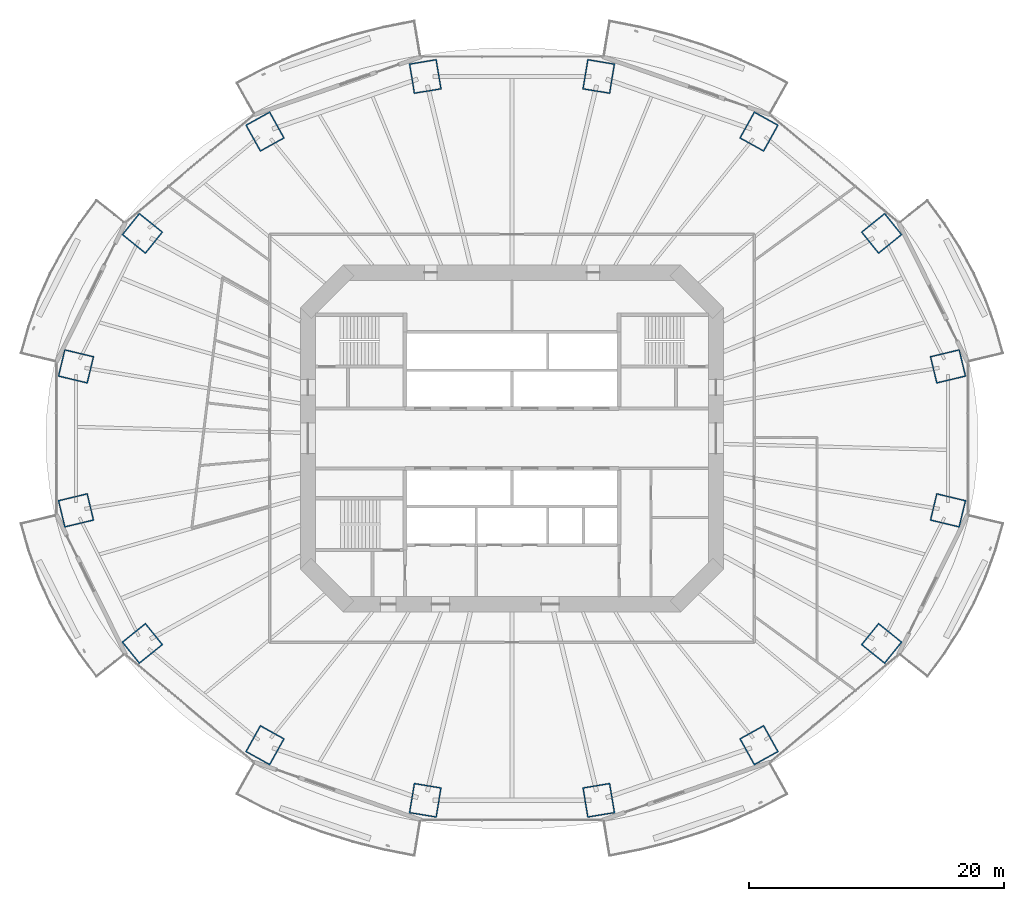
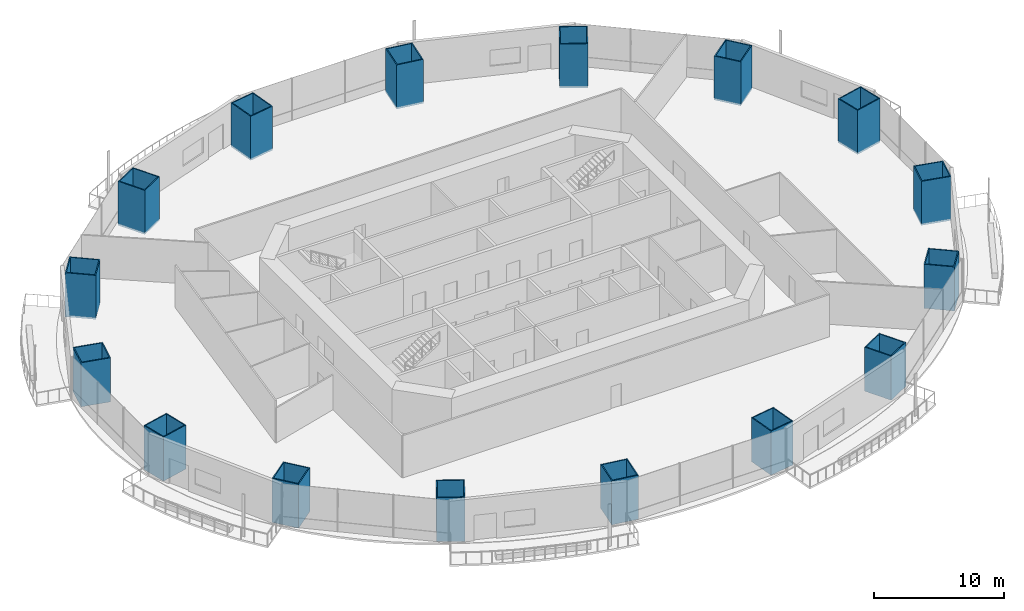
# One storey, part 1 of 23: 16 columns.
"""IFC4 building model written with IfcOpenShell, lengths in metres."""

from ifc_helpers import new_model, si_unit, direction, frame, origin, origin_2d, place, context, subcontext, project, spatial, rectangle, hollow_rectangle, extrude, material, material_profile, profile_set, type_object, element, save


model = new_model("IFC4")

# Units and contexts
model_context = context("Model", 3, precision=1e-05, world=origin(), true_north=direction((0.0, 1.0)))
body_context = subcontext(model_context, "Body", "Model", "MODEL_VIEW")
ifc_project = project(units=[si_unit("LENGTHUNIT", "METRE"), si_unit("AREAUNIT", "SQUARE_METRE"), si_unit("VOLUMEUNIT", "CUBIC_METRE"), si_unit("PLANEANGLEUNIT", "RADIAN"), si_unit("MASSUNIT", "GRAM", prefix="KILO")], contexts=[model_context])

# Site, building, storey
site_placement = place(None, origin())
site = spatial("IfcSite", under=ifc_project, at=site_placement, CompositionType="ELEMENT")
building_placement = place(site_placement, origin())
building = spatial("IfcBuilding", under=site, at=building_placement, Name="Marenthal Gate Tower", CompositionType="ELEMENT")
storey_placement = place(building_placement, frame((0.0, 0.0, 49.60009765625)))
storey = spatial("IfcBuildingStorey", under=building, at=storey_placement, Name="L08", CompositionType="ELEMENT", Elevation=49.60009765625)

# Columns
ifc_material_1 = material(Name="Steel S460", Category="steel")
ifc_material_profile_1 = material_profile(ifc_material_1, hollow_rectangle(XDim=2.199951171875, YDim=2.39990234375, WallThickness=0.090087890625, at=origin_2d()), Name="CFT BOX 2400X2200X90")
ifc_material_2 = material(Name="Concrete 70 MPa", Category="concrete")
ifc_material_profile_2 = material_profile(ifc_material_2, rectangle(XDim=2.02001953125, YDim=2.219970703125, at=origin_2d()), Name="CFT BOX 2400X2200X90 INFILL")
ifc_profile_set = profile_set([ifc_material_profile_1, ifc_material_profile_2], Name="Steel S460 shell, Concrete 70 MPa infill")
column_type = type_object("IfcColumnType", Name="CFT BOX 2400X2200X90", PredefinedType="COLUMN", material=ifc_profile_set)
for number, where, z_axis, x_axis, name in (
    (1, (34.188232421875, 5.64501953125, -0.18017578125), (0.0, 0.0, 1.0), (0.233032946196, -0.972468840625, 0.0), "COL-L08-01"),
    (2, (28.9833984375, 16.075439453125, -0.18017578125), (0.0, 0.0, 1.0), (0.627045775973, -0.778982409836, 0.0), "COL-L08-02"),
    (3, (19.3662109375, 24.05859375, -0.18017578125), (0.0, 0.0, 1.0), (0.874496140493, -0.48503247341, 0.0), "COL-L08-03"),
    (4, (6.800537109375, 28.37890625, -0.18017578125), (0.0, 0.0, 1.0), (0.986641341868, -0.162907527505, 0.0), "COL-L08-04"),
    (5, (-6.800537109375, 28.37890625, -0.18017578125), (0.0, 0.0, 1.0), (0.986641341868, 0.162907527505, 0.0), "COL-L08-05"),
    (6, (-19.3662109375, 24.05859375, -0.18017578125), (0.0, 0.0, 1.0), (0.874496140493, 0.48503247341, 0.0), "COL-L08-06"),
    (7, (-28.9833984375, 16.075439453125, -0.18017578125), (0.0, 0.0, 1.0), (0.627045775973, 0.778982409836, 0.0), "COL-L08-07"),
    (8, (-34.188232421875, 5.64501953125, -0.18017578125), (0.0, 0.0, 1.0), (0.233032946196, 0.972468840625, 0.0), "COL-L08-08"),
    (9, (-34.188232421875, -5.64501953125, -0.18017578125), (0.0, 0.0, 1.0), (-0.233032946196, 0.972468840625, 0.0), "COL-L08-09"),
    (10, (-28.9833984375, -16.075439453125, -0.18017578125), (0.0, 0.0, 1.0), (-0.627045775973, 0.778982409836, 0.0), "COL-L08-10"),
    (11, (-19.3662109375, -24.05859375, -0.18017578125), (0.0, 0.0, 1.0), (-0.874496140493, 0.48503247341, 0.0), "COL-L08-11"),
    (12, (-6.800537109375, -28.37890625, -0.18017578125), (0.0, 0.0, 1.0), (-0.986641341868, 0.162907527505, 0.0), "COL-L08-12"),
    (13, (6.800537109375, -28.37890625, -0.18017578125), (0.0, 0.0, 1.0), (-0.986641341868, -0.162907527505, 0.0), "COL-L08-13"),
    (14, (19.3662109375, -24.05859375, -0.18017578125), (0.0, 0.0, 1.0), (-0.874496140493, -0.48503247341, 0.0), "COL-L08-14"),
    (15, (28.9833984375, -16.075439453125, -0.18017578125), (0.0, 0.0, 1.0), (-0.627045775973, -0.778982409836, 0.0), "COL-L08-15"),
    (16, (34.188232421875, -5.64501953125, -0.18017578125), (0.0, 0.0, 1.0), (-0.233032946196, -0.972468840625, 0.0), "COL-L08-16"),
):
    element("IfcColumn", number, at=place(storey_placement, frame(where, z_axis=z_axis, x_axis=x_axis)), inside=storey, type_object=column_type, Name=name, PredefinedType="COLUMN", context=body_context, shape_type="SweptSolid", body=[
        extrude(hollow_rectangle(XDim=2.199951171875, YDim=2.39990234375, WallThickness=0.090087890625, at=origin_2d()), origin(), (0.0, 0.0, 1.0), 4.150146484375),
    ])

save(model, "model.ifc")
